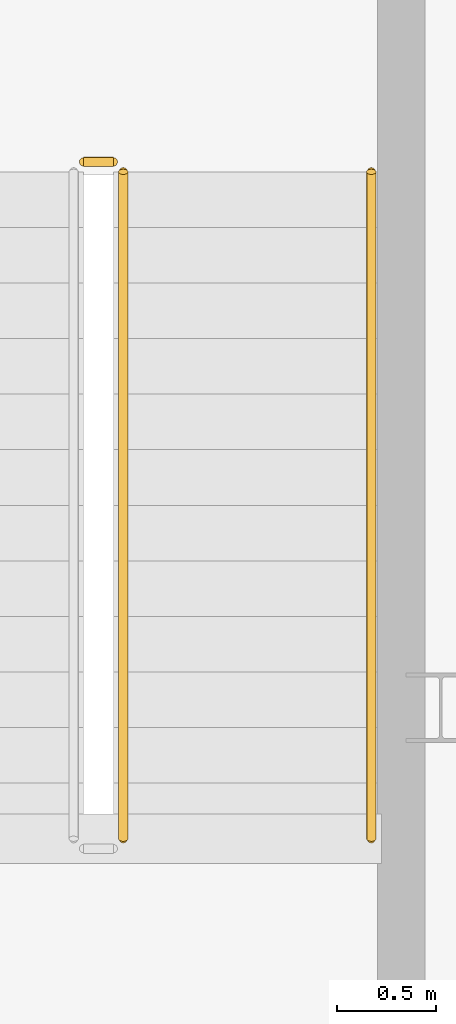
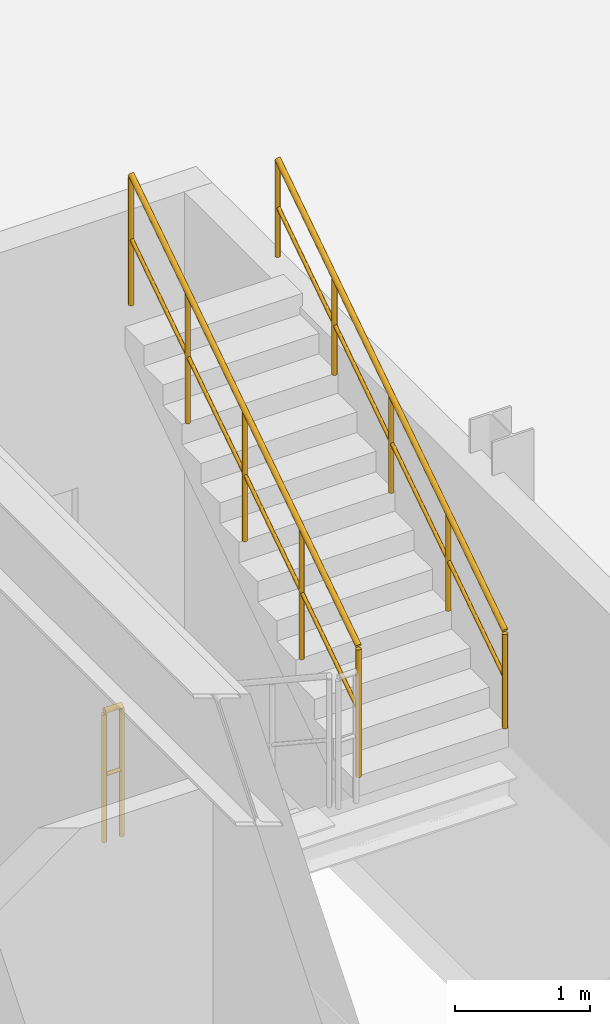
# One storey, part 22 of 23: 3 railings.
"""IFC4 building model written with IfcOpenShell, lengths in metres."""

from ifc_helpers import new_model, si_unit, direction, frame, origin, origin_2d, place, context, subcontext, project, spatial, circle, extrude, material, type_object, element, save


model = new_model("IFC4")

# Units and contexts
model_context = context("Model", 3, precision=1e-05, world=origin(), true_north=direction((0.0, 1.0)))
body_context = subcontext(model_context, "Body", "Model", "MODEL_VIEW")
ifc_project = project(units=[si_unit("LENGTHUNIT", "METRE"), si_unit("AREAUNIT", "SQUARE_METRE"), si_unit("VOLUMEUNIT", "CUBIC_METRE"), si_unit("PLANEANGLEUNIT", "RADIAN"), si_unit("MASSUNIT", "GRAM", prefix="KILO")], contexts=[model_context])

# Site, building, storey
site_placement = place(None, origin())
site = spatial("IfcSite", under=ifc_project, at=site_placement, CompositionType="ELEMENT")
building_placement = place(site_placement, origin())
building = spatial("IfcBuilding", under=site, at=building_placement, Name="Miruveldt Soraemaru", CompositionType="ELEMENT")
storey_placement = place(building_placement, frame((0.0, 0.0, 14.39990234375)))
storey = spatial("IfcBuildingStorey", under=building, at=storey_placement, Name="L04", CompositionType="ELEMENT", Elevation=14.39990234375)

# Railings
ifc_material = material(Name="Steel S355 (355 MPa)", Category="steel")
railing_type_1 = type_object("IfcRailingType", Name="RAIL-HR-900", PredefinedType="HANDRAIL", material=ifc_material)
railing_1_placement = place(storey_placement, frame((59.60009765625, 39.840087890625, 2.584716796875)))
element("IfcRailing", 1, at=railing_1_placement, inside=storey, type_object=railing_type_1, Name="L04 ST-4 stair handrail 2", PredefinedType="HANDRAIL", context=body_context, shape_type="SweptSolid", body=[
    extrude(circle(Radius=0.02392578125, at=origin_2d()), frame((0.0, 0.0, 0.8759765625), z_axis=(0.0, 0.834858096282, 0.550465220583), x_axis=(-1.0, 0.0, 0.0)), (0.0, 0.0, 1.0), 4.0244140625),
    extrude(circle(Radius=0.01611328125, at=origin_2d()), frame((0.0, 0.0, 0.449951171875), z_axis=(0.0, 0.834858096282, 0.550465220583), x_axis=(-1.0, 0.0, 0.0)), (0.0, 0.0, 1.0), 4.0244140625),
    extrude(circle(Radius=0.02099609375, at=origin_2d()), origin(), (0.0, 0.0, 1.0), 0.851806640625),
    extrude(circle(Radius=0.02099609375, at=origin_2d()), frame((0.0, 0.83984375, 0.5537109375)), (0.0, 0.0, 1.0), 0.851806640625),
    extrude(circle(Radius=0.02099609375, at=origin_2d()), frame((0.0, 1.679931640625, 1.107666015625)), (0.0, 0.0, 1.0), 0.851806640625),
    extrude(circle(Radius=0.02099609375, at=origin_2d()), frame((0.0, 2.52001953125, 1.66162109375)), (0.0, 0.0, 1.0), 0.851806640625),
    extrude(circle(Radius=0.02099609375, at=origin_2d()), frame((0.0, 3.35986328125, 2.21533203125)), (0.0, 0.0, 1.0), 0.851806640625),
])
railing_type_2 = type_object("IfcRailingType", Name="RAIL-STGUARD-1200", PredefinedType="GUARDRAIL", material=ifc_material)
railing_2_placement = place(storey_placement, frame((58.35009765625, 39.840087890625, 2.584716796875)))
element("IfcRailing", 2, at=railing_2_placement, inside=storey, type_object=railing_type_2, Name="L04 ST-4 stair guard 3", PredefinedType="GUARDRAIL", context=body_context, shape_type="SweptSolid", body=[
    extrude(circle(Radius=0.02392578125, at=origin_2d()), frame((0.0, 0.0, 1.17578125), z_axis=(0.0, 0.834858096282, 0.550465220583), x_axis=(-1.0, 0.0, 0.0)), (0.0, 0.0, 1.0), 4.0244140625),
    extrude(circle(Radius=0.01611328125, at=origin_2d()), frame((0.0, 0.0, 0.60009765625), z_axis=(0.0, 0.834858096282, 0.550465220583), x_axis=(-1.0, 0.0, 0.0)), (0.0, 0.0, 1.0), 4.0244140625),
    extrude(circle(Radius=0.02099609375, at=origin_2d()), origin(), (0.0, 0.0, 1.0), 1.15185546875),
    extrude(circle(Radius=0.02099609375, at=origin_2d()), frame((0.0, 0.83984375, 0.5537109375)), (0.0, 0.0, 1.0), 1.15185546875),
    extrude(circle(Radius=0.02099609375, at=origin_2d()), frame((0.0, 1.679931640625, 1.107666015625)), (0.0, 0.0, 1.0), 1.15185546875),
    extrude(circle(Radius=0.02099609375, at=origin_2d()), frame((0.0, 2.52001953125, 1.66162109375)), (0.0, 0.0, 1.0), 1.15185546875),
    extrude(circle(Radius=0.02099609375, at=origin_2d()), frame((0.0, 3.35986328125, 2.21533203125)), (0.0, 0.0, 1.0), 1.15185546875),
])
railing_3_placement = place(storey_placement, frame((58.14990234375, 43.25, 0.0)))
element("IfcRailing", 3, at=railing_3_placement, inside=storey, type_object=railing_type_2, Name="L04 ST-4 stair guard 4", PredefinedType="GUARDRAIL", context=body_context, shape_type="SweptSolid", body=[
    extrude(circle(Radius=0.02392578125, at=origin_2d()), frame((0.0, 0.0, 1.17578125), z_axis=(1.0, 0.0, 0.0), x_axis=(0.0, 1.0, 0.0)), (0.0, 0.0, 1.0), 0.150146484375),
    extrude(circle(Radius=0.01611328125, at=origin_2d()), frame((0.0, 0.0, 0.60009765625), z_axis=(1.0, 0.0, 0.0), x_axis=(0.0, 1.0, 0.0)), (0.0, 0.0, 1.0), 0.150146484375),
    extrude(circle(Radius=0.02099609375, at=origin_2d()), origin(), (0.0, 0.0, 1.0), 1.15185546875),
    extrude(circle(Radius=0.02099609375, at=origin_2d()), frame((0.150146484375, 0.0, 0.0)), (0.0, 0.0, 1.0), 1.15185546875),
])

save(model, "model.ifc")
